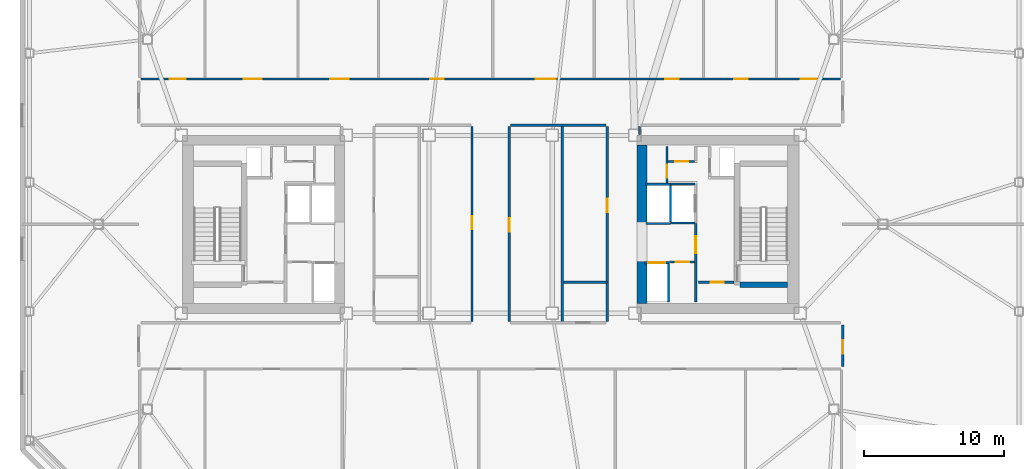
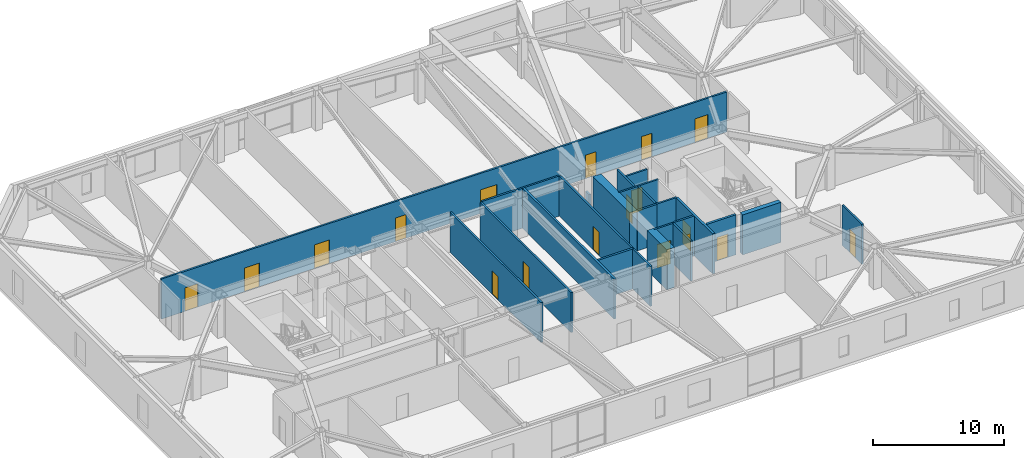
# One storey, part 12 of 18: 24 walls, 18 doors, 18 openings.
"""IFC4 building model written with IfcOpenShell, lengths in metres."""

from ifc_helpers import new_model, si_unit, direction, frame, frame_2d, origin, place, context, subcontext, project, spatial, rectangle, extrude, material, layer, layer_set, type_object, element, fill, save


model = new_model("IFC4")

# Units and contexts
model_context = context("Model", 3, precision=1e-05, world=origin(), true_north=direction((0.0, 1.0)))
body_context = subcontext(model_context, "Body", "Model", "MODEL_VIEW")
ifc_project = project(units=[si_unit("LENGTHUNIT", "METRE"), si_unit("AREAUNIT", "SQUARE_METRE"), si_unit("VOLUMEUNIT", "CUBIC_METRE"), si_unit("PLANEANGLEUNIT", "RADIAN"), si_unit("MASSUNIT", "GRAM", prefix="KILO")], contexts=[model_context])

# Site, building, storey
site_placement = place(None, origin())
site = spatial("IfcSite", under=ifc_project, at=site_placement, CompositionType="ELEMENT")
building_placement = place(site_placement, origin())
building = spatial("IfcBuilding", under=site, at=building_placement, Name="Tavrogorsk Clinical Tower", CompositionType="ELEMENT")
storey_placement = place(building_placement, frame((0.0, 0.0, 180.199951171875)))
storey = spatial("IfcBuildingStorey", under=building, at=storey_placement, Name="L41", CompositionType="ELEMENT", Elevation=180.199951171875)

# Wall, opening, door
ifc_material_1 = material(Name="Concrete B60", Category="concrete")
ifc_layer_1 = layer(ifc_material_1, 0.199951171875)
ifc_layer_set_1 = layer_set([ifc_layer_1], Name="Concrete B60")
wall_type_1 = type_object("IfcWallType", Name="CoreFireWall_200", PredefinedType="SOLIDWALL", material=ifc_layer_set_1)
wall_1_placement = place(storey_placement, frame((14.824951171875, -4.139892578125, 0.0), z_axis=(0.0, 0.0, 1.0), x_axis=(1.0, 0.0, 0.0)))
wall_1 = element("IfcWall", 1, at=wall_1_placement, inside=storey, type_object=wall_type_1, Name="L41 Core East South Core Room Fire Wall", PredefinedType="SOLIDWALL", context=body_context, shape_type="SweptSolid", body=[
    extrude(rectangle(XDim=2.554931640625, YDim=0.199951171875, at=frame_2d((1.27734375, 0.0))), origin(), (0.0, 0.0, 1.0), 3.739990234375),
])
opening_1_placement = place(wall_1_placement, frame((0.8798828125, 0.0, 0.0)))
opening_1 = element("IfcOpeningElement", 2, at=opening_1_placement, cuts=wall_1, Name="Opening ID-02", PredefinedType="OPENING", context=body_context, shape_type="SweptSolid", body=[
    extrude(rectangle(XDim=0.949951171875, YDim=2.199951171875, at=frame_2d((0.47509765625, 1.10009765625))), frame((0.0, 0.10986328125, 0.0), z_axis=(0.0, -1.0, 0.0), x_axis=(1.0, 0.0, 0.0)), (0.0, 0.0, 1.0), 0.219970703125),
])
ifc_material_2 = material(Name="Laminated timber leaf on aluminium frame", Category="wood")
door_type_1 = type_object("IfcDoorType", Name="InteriorDoor_ID02_950", OperationType="NOTDEFINED", PredefinedType="DOOR", material=ifc_material_2)
door_1_placement = place(opening_1_placement, origin())
door_1 = element("IfcDoor", 3, at=door_1_placement, inside=storey, type_object=door_type_1, Name="L41 Core East South Core Room Door", OperationType="SINGLE_SWING_RIGHT", OverallHeight=2.199951171875, OverallWidth=0.949951171875, PredefinedType="DOOR", context=body_context, shape_type="SweptSolid", body=[
    extrude(rectangle(XDim=0.949951171875, YDim=2.199951171875, at=frame_2d((0.47509765625, 1.10009765625))), frame((0.0, 0.02490234375, 0.0), z_axis=(0.0, -1.0, 0.0), x_axis=(1.0, 0.0, 0.0)), (0.0, 0.0, 1.0), 0.050048828125),
])
fill(opening_1, door_1)

wall_2_placement = place(storey_placement, frame((14.639892578125, -5.56005859375, 0.0), z_axis=(0.0, 0.0, 1.0), x_axis=(0.0, 1.0, 0.0)))
wall_2 = element("IfcWall", 4, at=wall_2_placement, inside=storey, type_object=wall_type_1, Name="L41 Core East Firefighting Lobby Fire Wall", PredefinedType="SOLIDWALL", context=body_context, shape_type="SweptSolid", body=[
    extrude(rectangle(XDim=5.60009765625, YDim=0.199951171875, at=frame_2d((2.800048828125, 0.0))), origin(), (0.0, 0.0, 1.0), 3.739990234375),
])
opening_2_placement = place(wall_2_placement, frame((3.510009765625, 0.0, 0.0)))
opening_2 = element("IfcOpeningElement", 5, at=opening_2_placement, cuts=wall_2, Name="Opening FD-01", PredefinedType="OPENING", context=body_context, shape_type="SweptSolid", body=[
    extrude(rectangle(XDim=1.199951171875, YDim=2.199951171875, at=frame_2d((0.60009765625, 1.10009765625))), frame((0.0, 0.10986328125, 0.0), z_axis=(0.0, -1.0, 0.0), x_axis=(1.0, 0.0, 0.0)), (0.0, 0.0, 1.0), 0.219970703125),
])
ifc_material_3 = material(Name="Galvanised steel fire-rated door assembly", Category="steel")
door_type_2 = type_object("IfcDoorType", Name="FireDoor_FD01_1200", OperationType="NOTDEFINED", PredefinedType="DOOR", material=ifc_material_3)
door_2_placement = place(opening_2_placement, origin())
door_2 = element("IfcDoor", 6, at=door_2_placement, inside=storey, type_object=door_type_2, Name="L41 Core East Firefighting Lobby Entry Door", OperationType="SINGLE_SWING_RIGHT", OverallHeight=2.199951171875, OverallWidth=1.199951171875, PredefinedType="DOOR", context=body_context, shape_type="SweptSolid", body=[
    extrude(rectangle(XDim=1.199951171875, YDim=2.199951171875, at=frame_2d((0.60009765625, 1.10009765625))), frame((0.0, 0.02490234375, 0.0), z_axis=(0.0, -1.0, 0.0), x_axis=(1.0, 0.0, 0.0)), (0.0, 0.0, 1.0), 0.050048828125),
])
fill(opening_2, door_2)

ifc_material_4 = material(Name="Lightweight concrete blockwork B15", Category="masonry")
ifc_layer_2 = layer(ifc_material_4, 0.159912109375)
ifc_layer_set_2 = layer_set([ifc_layer_2], Name="Lightweight concrete blockwork B15")
wall_type_2 = type_object("IfcWallType", Name="PartitionWall_160", PredefinedType="PARTITIONING", material=ifc_layer_set_2)
wall_3_placement = place(storey_placement, frame((12.77490234375, -2.699951171875, 0.0), z_axis=(0.0, 0.0, 1.0), x_axis=(1.0, 0.0, 0.0)))
wall_3 = element("IfcWall", 7, at=wall_3_placement, inside=storey, type_object=wall_type_2, Name="L41 Core East Freed Low-Bank North Partition", PredefinedType="PARTITIONING", context=body_context, shape_type="SweptSolid", body=[
    extrude(rectangle(XDim=1.760009765625, YDim=0.159912109375, at=frame_2d((0.8798828125, 0.0))), origin(), (0.0, 0.0, 1.0), 3.739990234375),
])
opening_3_placement = place(wall_3_placement, frame((0.449951171875, 0.0, 0.0)))
opening_3 = element("IfcOpeningElement", 8, at=opening_3_placement, cuts=wall_3, Name="Opening ID-02", PredefinedType="OPENING", context=body_context, shape_type="SweptSolid", body=[
    extrude(rectangle(XDim=0.949951171875, YDim=2.199951171875, at=frame_2d((0.47509765625, 1.10009765625))), frame((0.0, 0.08984375, 0.0), z_axis=(0.0, -1.0, 0.0), x_axis=(1.0, 0.0, 0.0)), (0.0, 0.0, 1.0), 0.179931640625),
])
door_3_placement = place(opening_3_placement, origin())
door_3 = element("IfcDoor", 9, at=door_3_placement, inside=storey, type_object=door_type_1, Name="L41 Core East Biomedical Alcove Door", OperationType="SINGLE_SWING_LEFT", OverallHeight=2.199951171875, OverallWidth=0.949951171875, PredefinedType="DOOR", context=body_context, shape_type="SweptSolid", body=[
    extrude(rectangle(XDim=0.949951171875, YDim=2.199951171875, at=frame_2d((0.47509765625, 1.10009765625))), frame((0.0, 0.02490234375, 0.0), z_axis=(0.0, -1.0, 0.0), x_axis=(1.0, 0.0, 0.0)), (0.0, 0.0, 1.0), 0.050048828125),
])
fill(opening_3, door_3)

wall_4_placement = place(storey_placement, frame((12.580078125, 2.9599609375, 0.0), z_axis=(0.0, 0.0, 1.0), x_axis=(0.0, 1.0, 0.0)))
wall_4 = element("IfcWall", 10, at=wall_4_placement, inside=storey, type_object=wall_type_2, Name="L41 Core East Linen Closet Wall", PredefinedType="PARTITIONING", context=body_context, shape_type="SweptSolid", body=[
    extrude(rectangle(XDim=2.60009765625, YDim=0.159912109375, at=frame_2d((1.300048828125, 0.0))), origin(), (0.0, 0.0, 1.0), 3.739990234375),
])
opening_4_placement = place(wall_4_placement, frame((0.35009765625, 0.0, 0.0)))
opening_4 = element("IfcOpeningElement", 11, at=opening_4_placement, cuts=wall_4, Name="Opening ID-02", PredefinedType="OPENING", context=body_context, shape_type="SweptSolid", body=[
    extrude(rectangle(XDim=0.949951171875, YDim=2.199951171875, at=frame_2d((0.47509765625, 1.10009765625))), frame((0.0, 0.08984375, 0.0), z_axis=(0.0, -1.0, 0.0), x_axis=(1.0, 0.0, 0.0)), (0.0, 0.0, 1.0), 0.179931640625),
])
door_4_placement = place(opening_4_placement, origin())
door_4 = element("IfcDoor", 12, at=door_4_placement, inside=storey, type_object=door_type_1, Name="L41 Core East Linen Closet Door", OperationType="SINGLE_SWING_RIGHT", OverallHeight=2.199951171875, OverallWidth=0.949951171875, PredefinedType="DOOR", context=body_context, shape_type="SweptSolid", body=[
    extrude(rectangle(XDim=0.949951171875, YDim=2.199951171875, at=frame_2d((0.47509765625, 1.10009765625))), frame((0.0, 0.02490234375, 0.0), z_axis=(0.0, -1.0, 0.0), x_axis=(1.0, 0.0, 0.0)), (0.0, 0.0, 1.0), 0.050048828125),
])
fill(opening_4, door_4)

wall_5_placement = place(storey_placement, frame((12.6650390625, 4.47998046875, 0.0), z_axis=(0.0, 0.0, 1.0), x_axis=(1.0, 0.0, 0.0)))
wall_5 = element("IfcWall", 13, at=wall_5_placement, inside=storey, type_object=wall_type_2, Name="L41 Core East Housekeeping South Wall", PredefinedType="PARTITIONING", context=body_context, shape_type="SweptSolid", body=[
    extrude(rectangle(XDim=1.889892578125, YDim=0.159912109375, at=frame_2d((0.94482421875, 0.0))), origin(), (0.0, 0.0, 1.0), 3.739990234375),
])
opening_5_placement = place(wall_5_placement, frame((0.5, 0.0, 0.0)))
opening_5 = element("IfcOpeningElement", 14, at=opening_5_placement, cuts=wall_5, Name="Opening ID-02", PredefinedType="OPENING", context=body_context, shape_type="SweptSolid", body=[
    extrude(rectangle(XDim=0.949951171875, YDim=2.199951171875, at=frame_2d((0.47509765625, 1.10009765625))), frame((0.0, 0.08984375, 0.0), z_axis=(0.0, -1.0, 0.0), x_axis=(1.0, 0.0, 0.0)), (0.0, 0.0, 1.0), 0.179931640625),
])
door_5_placement = place(opening_5_placement, origin())
door_5 = element("IfcDoor", 15, at=door_5_placement, inside=storey, type_object=door_type_1, Name="L41 Core East Housekeeping Closet Door", OperationType="SINGLE_SWING_LEFT", OverallHeight=2.199951171875, OverallWidth=0.949951171875, PredefinedType="DOOR", context=body_context, shape_type="SweptSolid", body=[
    extrude(rectangle(XDim=0.949951171875, YDim=2.199951171875, at=frame_2d((0.47509765625, 1.10009765625))), frame((0.0, 0.02490234375, 0.0), z_axis=(0.0, -1.0, 0.0), x_axis=(1.0, 0.0, 0.0)), (0.0, 0.0, 1.0), 0.050048828125),
])
fill(opening_5, door_5)

# Wall, openings, doors
wall_6_placement = place(storey_placement, frame((-24.965087890625, 10.3798828125, 0.0), z_axis=(0.0, 0.0, 1.0), x_axis=(1.0, 0.0, 0.0)))
wall_6 = element("IfcWall", 16, at=wall_6_placement, inside=storey, type_object=wall_type_2, Name="L41 Corridor Partition 07", PredefinedType="PARTITIONING", context=body_context, shape_type="SweptSolid", body=[
    extrude(rectangle(XDim=49.93017578125, YDim=0.159912109375, at=frame_2d((24.965087890625, 0.0))), origin(), (0.0, 0.0, 1.0), 3.739990234375),
])
opening_6_placement = place(wall_6_placement, frame((2.044189453125, 0.0, 0.0)))
opening_6 = element("IfcOpeningElement", 17, at=opening_6_placement, cuts=wall_6, Name="Opening ID-06", PredefinedType="OPENING", context=body_context, shape_type="SweptSolid", body=[
    extrude(rectangle(XDim=1.14990234375, YDim=2.199951171875, at=frame_2d((0.574951171875, 1.10009765625))), frame((0.0, 0.08984375, 0.0), z_axis=(0.0, -1.0, 0.0), x_axis=(1.0, 0.0, 0.0)), (0.0, 0.0, 1.0), 0.179931640625),
])
opening_7_placement = place(wall_6_placement, frame((7.324951171875, 0.0, 0.0)))
opening_7 = element("IfcOpeningElement", 18, at=opening_7_placement, cuts=wall_6, Name="Opening ID-01", PredefinedType="OPENING", context=body_context, shape_type="SweptSolid", body=[
    extrude(rectangle(XDim=1.300048828125, YDim=2.199951171875, at=frame_2d((0.64990234375, 1.10009765625))), frame((0.0, 0.08984375, 0.0), z_axis=(0.0, -1.0, 0.0), x_axis=(1.0, 0.0, 0.0)), (0.0, 0.0, 1.0), 0.179931640625),
])
opening_8_placement = place(wall_6_placement, frame((13.52490234375, 0.0, 0.0)))
opening_8 = element("IfcOpeningElement", 19, at=opening_8_placement, cuts=wall_6, Name="Opening ID-01", PredefinedType="OPENING", context=body_context, shape_type="SweptSolid", body=[
    extrude(rectangle(XDim=1.300048828125, YDim=2.199951171875, at=frame_2d((0.64990234375, 1.10009765625))), frame((0.0, 0.08984375, 0.0), z_axis=(0.0, -1.0, 0.0), x_axis=(1.0, 0.0, 0.0)), (0.0, 0.0, 1.0), 0.179931640625),
])
opening_9_placement = place(wall_6_placement, frame((20.64990234375, 0.0, 0.0)))
opening_9 = element("IfcOpeningElement", 20, at=opening_9_placement, cuts=wall_6, Name="Opening ID-02", PredefinedType="OPENING", context=body_context, shape_type="SweptSolid", body=[
    extrude(rectangle(XDim=0.949951171875, YDim=2.199951171875, at=frame_2d((0.47509765625, 1.10009765625))), frame((0.0, 0.08984375, 0.0), z_axis=(0.0, -1.0, 0.0), x_axis=(1.0, 0.0, 0.0)), (0.0, 0.0, 1.0), 0.179931640625),
])
opening_10_placement = place(wall_6_placement, frame((28.175048828125, 0.0, 0.0)))
opening_10 = element("IfcOpeningElement", 21, at=opening_10_placement, cuts=wall_6, Name="Opening ID-05", PredefinedType="OPENING", context=body_context, shape_type="SweptSolid", body=[
    extrude(rectangle(XDim=1.449951171875, YDim=2.199951171875, at=frame_2d((0.72509765625, 1.10009765625))), frame((0.0, 0.08984375, 0.0), z_axis=(0.0, -1.0, 0.0), x_axis=(1.0, 0.0, 0.0)), (0.0, 0.0, 1.0), 0.179931640625),
])
opening_11_placement = place(wall_6_placement, frame((37.429931640625, 0.0, 0.0)))
opening_11 = element("IfcOpeningElement", 22, at=opening_11_placement, cuts=wall_6, Name="Opening ID-02", PredefinedType="OPENING", context=body_context, shape_type="SweptSolid", body=[
    extrude(rectangle(XDim=0.949951171875, YDim=2.199951171875, at=frame_2d((0.47509765625, 1.10009765625))), frame((0.0, 0.08984375, 0.0), z_axis=(0.0, -1.0, 0.0), x_axis=(1.0, 0.0, 0.0)), (0.0, 0.0, 1.0), 0.179931640625),
])
opening_12_placement = place(wall_6_placement, frame((42.3701171875, 0.0, 0.0)))
opening_12 = element("IfcOpeningElement", 23, at=opening_12_placement, cuts=wall_6, Name="Opening ID-02", PredefinedType="OPENING", context=body_context, shape_type="SweptSolid", body=[
    extrude(rectangle(XDim=0.949951171875, YDim=2.199951171875, at=frame_2d((0.47509765625, 1.10009765625))), frame((0.0, 0.08984375, 0.0), z_axis=(0.0, -1.0, 0.0), x_axis=(1.0, 0.0, 0.0)), (0.0, 0.0, 1.0), 0.179931640625),
])
opening_13_placement = place(wall_6_placement, frame((47.10595703125, 0.0, 0.0)))
opening_13 = element("IfcOpeningElement", 24, at=opening_13_placement, cuts=wall_6, Name="Opening ID-06", PredefinedType="OPENING", context=body_context, shape_type="SweptSolid", body=[
    extrude(rectangle(XDim=1.14990234375, YDim=2.199951171875, at=frame_2d((0.574951171875, 1.10009765625))), frame((0.0, 0.08984375, 0.0), z_axis=(0.0, -1.0, 0.0), x_axis=(1.0, 0.0, 0.0)), (0.0, 0.0, 1.0), 0.179931640625),
])
ifc_material_5 = material(Name="Antibacterial HPL bariatric ward double door")
door_type_3 = type_object("IfcDoorType", Name="DoubleWardDoor_ID05_1450", OperationType="DOUBLE_SWING_LEFT", PredefinedType="DOOR", material=ifc_material_5)
door_6_placement = place(opening_10_placement, origin())
door_6 = element("IfcDoor", 25, at=door_6_placement, inside=storey, type_object=door_type_3, Name="L41 North Sub-Acute Recovery Ward 03B Door", OperationType="DOUBLE_SWING_LEFT", OverallHeight=2.199951171875, OverallWidth=1.449951171875, PredefinedType="DOOR", context=body_context, shape_type="SweptSolid", body=[
    extrude(rectangle(XDim=1.449951171875, YDim=2.199951171875, at=frame_2d((0.72509765625, 1.10009765625))), frame((0.0, 0.02490234375, 0.0), z_axis=(0.0, -1.0, 0.0), x_axis=(1.0, 0.0, 0.0)), (0.0, 0.0, 1.0), 0.050048828125),
])
fill(opening_10, door_6)
door_7_placement = place(opening_9_placement, origin())
door_7 = element("IfcDoor", 26, at=door_7_placement, inside=storey, type_object=door_type_1, Name="L41 North Clinical Examination Suite 03A Door", OperationType="SINGLE_SWING_RIGHT", OverallHeight=2.199951171875, OverallWidth=0.949951171875, PredefinedType="DOOR", context=body_context, shape_type="SweptSolid", body=[
    extrude(rectangle(XDim=0.949951171875, YDim=2.199951171875, at=frame_2d((0.47509765625, 1.10009765625))), frame((0.0, 0.02490234375, 0.0), z_axis=(0.0, -1.0, 0.0), x_axis=(1.0, 0.0, 0.0)), (0.0, 0.0, 1.0), 0.050048828125),
])
fill(opening_9, door_7)
door_8_placement = place(opening_11_placement, origin())
door_8 = element("IfcDoor", 27, at=door_8_placement, inside=storey, type_object=door_type_1, Name="L41 North Diagnostic Ultrasound Suite 04A Door", OperationType="SINGLE_SWING_RIGHT", OverallHeight=2.199951171875, OverallWidth=0.949951171875, PredefinedType="DOOR", context=body_context, shape_type="SweptSolid", body=[
    extrude(rectangle(XDim=0.949951171875, YDim=2.199951171875, at=frame_2d((0.47509765625, 1.10009765625))), frame((0.0, 0.02490234375, 0.0), z_axis=(0.0, -1.0, 0.0), x_axis=(1.0, 0.0, 0.0)), (0.0, 0.0, 1.0), 0.050048828125),
])
fill(opening_11, door_8)
door_9_placement = place(opening_12_placement, origin())
door_9 = element("IfcDoor", 28, at=door_9_placement, inside=storey, type_object=door_type_1, Name="L41 North Multidisciplinary Case Room 04B Door", OperationType="SINGLE_SWING_LEFT", OverallHeight=2.199951171875, OverallWidth=0.949951171875, PredefinedType="DOOR", context=body_context, shape_type="SweptSolid", body=[
    extrude(rectangle(XDim=0.949951171875, YDim=2.199951171875, at=frame_2d((0.47509765625, 1.10009765625))), frame((0.0, 0.02490234375, 0.0), z_axis=(0.0, -1.0, 0.0), x_axis=(1.0, 0.0, 0.0)), (0.0, 0.0, 1.0), 0.050048828125),
])
fill(opening_12, door_9)
ifc_material_6 = material(Name="Antibacterial HPL procedure door on aluminium frame", Category="aluminium")
door_type_4 = type_object("IfcDoorType", Name="LabDoor_ID06_1150", OperationType="NOTDEFINED", PredefinedType="DOOR", material=ifc_material_6)
door_10_placement = place(opening_6_placement, origin())
door_10 = element("IfcDoor", 29, at=door_10_placement, inside=storey, type_object=door_type_4, Name="L41 North Multidisciplinary Case Room 01 Door", OperationType="SINGLE_SWING_LEFT", OverallHeight=2.199951171875, OverallWidth=1.14990234375, PredefinedType="DOOR", context=body_context, shape_type="SweptSolid", body=[
    extrude(rectangle(XDim=1.14990234375, YDim=2.199951171875, at=frame_2d((0.574951171875, 1.10009765625))), frame((0.0, 0.02490234375, 0.0), z_axis=(0.0, -1.0, 0.0), x_axis=(1.0, 0.0, 0.0)), (0.0, 0.0, 1.0), 0.050048828125),
])
fill(opening_6, door_10)
door_11_placement = place(opening_13_placement, origin())
door_11 = element("IfcDoor", 30, at=door_11_placement, inside=storey, type_object=door_type_4, Name="L41 North Physiotherapy Rehab Studio 05 Door", OperationType="SINGLE_SWING_RIGHT", OverallHeight=2.199951171875, OverallWidth=1.14990234375, PredefinedType="DOOR", context=body_context, shape_type="SweptSolid", body=[
    extrude(rectangle(XDim=1.14990234375, YDim=2.199951171875, at=frame_2d((0.574951171875, 1.10009765625))), frame((0.0, 0.02490234375, 0.0), z_axis=(0.0, -1.0, 0.0), x_axis=(1.0, 0.0, 0.0)), (0.0, 0.0, 1.0), 0.050048828125),
])
fill(opening_13, door_11)
ifc_material_7 = material(Name="Antibacterial HPL medical leaf on aluminium frame", Category="aluminium")
door_type_5 = type_object("IfcDoorType", Name="WardBedDoor_ID01_1300", OperationType="NOTDEFINED", PredefinedType="DOOR", material=ifc_material_7)
door_12_placement = place(opening_7_placement, origin())
door_12 = element("IfcDoor", 31, at=door_12_placement, inside=storey, type_object=door_type_5, Name="L41 North Inpatient Clinical Ward 02A Door", OperationType="SINGLE_SWING_RIGHT", OverallHeight=2.199951171875, OverallWidth=1.300048828125, PredefinedType="DOOR", context=body_context, shape_type="SweptSolid", body=[
    extrude(rectangle(XDim=1.300048828125, YDim=2.199951171875, at=frame_2d((0.64990234375, 1.10009765625))), frame((0.0, 0.02490234375, 0.0), z_axis=(0.0, -1.0, 0.0), x_axis=(1.0, 0.0, 0.0)), (0.0, 0.0, 1.0), 0.050048828125),
])
fill(opening_7, door_12)
door_13_placement = place(opening_8_placement, origin())
door_13 = element("IfcDoor", 32, at=door_13_placement, inside=storey, type_object=door_type_5, Name="L41 North Acute Isolation Suite 02B Door", OperationType="SINGLE_SWING_LEFT", OverallHeight=2.199951171875, OverallWidth=1.300048828125, PredefinedType="DOOR", context=body_context, shape_type="SweptSolid", body=[
    extrude(rectangle(XDim=1.300048828125, YDim=2.199951171875, at=frame_2d((0.64990234375, 1.10009765625))), frame((0.0, 0.02490234375, 0.0), z_axis=(0.0, -1.0, 0.0), x_axis=(1.0, 0.0, 0.0)), (0.0, 0.0, 1.0), 0.050048828125),
])
fill(opening_8, door_13)

# Wall
wall_7_placement = place(storey_placement, frame((10.6298828125, 6.985107421875, 0.0), z_axis=(0.0, 0.0, 1.0), x_axis=(0.0, -1.0, 0.0)))
element("IfcWall", 33, at=wall_7_placement, inside=storey, type_object=wall_type_2, Name="L41 Corridor Partition 10", PredefinedType="PARTITIONING", context=body_context, shape_type="SweptSolid", body=[
    extrude(rectangle(XDim=0.565185546875, YDim=0.159912109375, at=frame_2d((0.28271484375, 0.0))), origin(), (0.0, 0.0, 1.0), 1.53515625),
])

# Wall, opening, door
wall_8_placement = place(storey_placement, frame((25.1298828125, -7.18505859375, 0.0), z_axis=(0.0, 0.0, 1.0), x_axis=(0.0, -1.0, 0.0)))
wall_8 = element("IfcWall", 34, at=wall_8_placement, inside=storey, type_object=wall_type_2, Name="L41 Corridor Partition 13", PredefinedType="PARTITIONING", context=body_context, shape_type="SweptSolid", body=[
    extrude(rectangle(XDim=2.97998046875, YDim=0.159912109375, at=frame_2d((1.489990234375, 0.0))), origin(), (0.0, 0.0, 1.0), 3.739990234375),
])
opening_14_placement = place(wall_8_placement, frame((1.10009765625, 0.0, 0.0)))
opening_14 = element("IfcOpeningElement", 35, at=opening_14_placement, cuts=wall_8, Name="Opening ID-02", PredefinedType="OPENING", context=body_context, shape_type="SweptSolid", body=[
    extrude(rectangle(XDim=0.949951171875, YDim=2.199951171875, at=frame_2d((0.47509765625, 1.10009765625))), frame((0.0, 0.08984375, 0.0), z_axis=(0.0, -1.0, 0.0), x_axis=(1.0, 0.0, 0.0)), (0.0, 0.0, 1.0), 0.179931640625),
])
door_14_placement = place(opening_14_placement, origin())
door_14 = element("IfcDoor", 36, at=door_14_placement, inside=storey, type_object=door_type_1, Name="L41 E Senior Clinician Suite 1 Door", OperationType="SINGLE_SWING_LEFT", OverallHeight=2.199951171875, OverallWidth=0.949951171875, PredefinedType="DOOR", context=body_context, shape_type="SweptSolid", body=[
    extrude(rectangle(XDim=0.949951171875, YDim=2.199951171875, at=frame_2d((0.47509765625, 1.10009765625))), frame((0.0, 0.02490234375, 0.0), z_axis=(0.0, -1.0, 0.0), x_axis=(1.0, 0.0, 0.0)), (0.0, 0.0, 1.0), 0.050048828125),
])
fill(opening_14, door_14)

# Wall
wall_9_placement = place(storey_placement, frame((8.235107421875, 7.070068359375, 0.0), z_axis=(0.0, 0.0, 1.0), x_axis=(-1.0, 0.0, 0.0)))
element("IfcWall", 37, at=wall_9_placement, inside=storey, type_object=wall_type_2, Name="L41 Corridor Partition 15", PredefinedType="PARTITIONING", context=body_context, shape_type="SweptSolid", body=[
    extrude(rectangle(XDim=6.820068359375, YDim=0.159912109375, at=frame_2d((3.41015625, 0.0))), origin(), (0.0, 0.0, 1.0), 3.739990234375),
])

# Wall, opening, door
wall_10_placement = place(storey_placement, frame((1.330078125, 6.985107421875, 0.0), z_axis=(0.0, 0.0, 1.0), x_axis=(0.0, -1.0, 0.0)))
wall_10 = element("IfcWall", 38, at=wall_10_placement, inside=storey, type_object=wall_type_2, Name="L41 Corridor Partition 16", PredefinedType="PARTITIONING", context=body_context, shape_type="SweptSolid", body=[
    extrude(rectangle(XDim=13.920166015625, YDim=0.159912109375, at=frame_2d((6.9599609375, 0.0))), origin(), (0.0, 0.0, 1.0), 3.739990234375),
])
opening_15_placement = place(wall_10_placement, frame((6.570068359375, 0.0, 0.0)))
opening_15 = element("IfcOpeningElement", 39, at=opening_15_placement, cuts=wall_10, Name="Opening ID-02", PredefinedType="OPENING", context=body_context, shape_type="SweptSolid", body=[
    extrude(rectangle(XDim=0.949951171875, YDim=2.199951171875, at=frame_2d((0.47509765625, 1.10009765625))), frame((0.0, 0.08984375, 0.0), z_axis=(0.0, -1.0, 0.0), x_axis=(1.0, 0.0, 0.0)), (0.0, 0.0, 1.0), 0.179931640625),
])
door_15_placement = place(opening_15_placement, origin())
door_15 = element("IfcDoor", 40, at=door_15_placement, inside=storey, type_object=door_type_1, Name="L41 Clean Medication Preparation Room Door", OperationType="SINGLE_SWING_RIGHT", OverallHeight=2.199951171875, OverallWidth=0.949951171875, PredefinedType="DOOR", context=body_context, shape_type="SweptSolid", body=[
    extrude(rectangle(XDim=0.949951171875, YDim=2.199951171875, at=frame_2d((0.47509765625, 1.10009765625))), frame((0.0, 0.02490234375, 0.0), z_axis=(0.0, -1.0, 0.0), x_axis=(1.0, 0.0, 0.0)), (0.0, 0.0, 1.0), 0.050048828125),
])
fill(opening_15, door_15)

wall_11_placement = place(storey_placement, frame((8.320068359375, -6.93505859375, 0.0), z_axis=(0.0, 0.0, 1.0), x_axis=(0.0, 1.0, 0.0)))
wall_11 = element("IfcWall", 41, at=wall_11_placement, inside=storey, type_object=wall_type_2, Name="L41 Corridor Partition 18", PredefinedType="PARTITIONING", context=body_context, shape_type="SweptSolid", body=[
    extrude(rectangle(XDim=13.920166015625, YDim=0.159912109375, at=frame_2d((6.9599609375, 0.0))), origin(), (0.0, 0.0, 1.0), 3.739990234375),
])
opening_16_placement = place(wall_11_placement, frame((7.810791015625, 0.0, 0.0)))
opening_16 = element("IfcOpeningElement", 42, at=opening_16_placement, cuts=wall_11, Name="Opening ID-02", PredefinedType="OPENING", context=body_context, shape_type="SweptSolid", body=[
    extrude(rectangle(XDim=0.949951171875, YDim=2.199951171875, at=frame_2d((0.47509765625, 1.10009765625))), frame((0.0, 0.08984375, 0.0), z_axis=(0.0, -1.0, 0.0), x_axis=(1.0, 0.0, 0.0)), (0.0, 0.0, 1.0), 0.179931640625),
])
door_16_placement = place(opening_16_placement, origin())
door_16 = element("IfcDoor", 43, at=door_16_placement, inside=storey, type_object=door_type_1, Name="L41 Resident Clinician Study Door", OperationType="SINGLE_SWING_RIGHT", OverallHeight=2.199951171875, OverallWidth=0.949951171875, PredefinedType="DOOR", context=body_context, shape_type="SweptSolid", body=[
    extrude(rectangle(XDim=0.949951171875, YDim=2.199951171875, at=frame_2d((0.47509765625, 1.10009765625))), frame((0.0, 0.02490234375, 0.0), z_axis=(0.0, -1.0, 0.0), x_axis=(1.0, 0.0, 0.0)), (0.0, 0.0, 1.0), 0.050048828125),
])
fill(opening_16, door_16)

wall_12_placement = place(storey_placement, frame((-1.330078125, -6.93505859375, 0.0), z_axis=(0.0, 0.0, 1.0), x_axis=(0.0, 1.0, 0.0)))
wall_12 = element("IfcWall", 44, at=wall_12_placement, inside=storey, type_object=wall_type_2, Name="L41 Corridor Partition 19", PredefinedType="PARTITIONING", context=body_context, shape_type="SweptSolid", body=[
    extrude(rectangle(XDim=13.920166015625, YDim=0.159912109375, at=frame_2d((6.9599609375, 0.0))), origin(), (0.0, 0.0, 1.0), 3.739990234375),
])
opening_17_placement = place(wall_12_placement, frame((6.570068359375, 0.0, 0.0)))
opening_17 = element("IfcOpeningElement", 45, at=opening_17_placement, cuts=wall_12, Name="Opening ID-02", PredefinedType="OPENING", context=body_context, shape_type="SweptSolid", body=[
    extrude(rectangle(XDim=0.949951171875, YDim=2.199951171875, at=frame_2d((0.47509765625, 1.10009765625))), frame((0.0, 0.08984375, 0.0), z_axis=(0.0, -1.0, 0.0), x_axis=(1.0, 0.0, 0.0)), (0.0, 0.0, 1.0), 0.179931640625),
])
door_17_placement = place(opening_17_placement, origin())
door_17 = element("IfcDoor", 46, at=door_17_placement, inside=storey, type_object=door_type_1, Name="L41 Nurses' Station & Telemetry Hub Door", OperationType="SINGLE_SWING_LEFT", OverallHeight=2.199951171875, OverallWidth=0.949951171875, PredefinedType="DOOR", context=body_context, shape_type="SweptSolid", body=[
    extrude(rectangle(XDim=0.949951171875, YDim=2.199951171875, at=frame_2d((0.47509765625, 1.10009765625))), frame((0.0, 0.02490234375, 0.0), z_axis=(0.0, -1.0, 0.0), x_axis=(1.0, 0.0, 0.0)), (0.0, 0.0, 1.0), 0.050048828125),
])
fill(opening_17, door_17)

# Walls
ifc_material_8 = material(Name="Lightweight concrete blockwork B20", Category="masonry")
ifc_layer_3 = layer(ifc_material_8, 0.179931640625)
ifc_layer_set_3 = layer_set([ifc_layer_3], Name="Lightweight concrete blockwork B20")
wall_type_3 = type_object("IfcWallType", Name="PartitionWall_180", PredefinedType="PARTITIONING", material=ifc_layer_set_3)
wall_13_placement = place(storey_placement, frame((5.10009765625, -7.014892578125, 0.0), z_axis=(0.0, 0.0, 1.0), x_axis=(0.0, 1.0, 0.0)))
element("IfcWall", 47, at=wall_13_placement, inside=storey, type_object=wall_type_3, Name="L41 Central Spine Partition 2", PredefinedType="PARTITIONING", context=body_context, shape_type="SweptSolid", body=[
    extrude(rectangle(XDim=14.079833984375, YDim=0.179931640625, at=frame_2d((7.0400390625, 0.0))), origin(), (0.0, 0.0, 1.0), 3.739990234375),
])
wall_14_placement = place(storey_placement, frame((5.195068359375, -4.14990234375, 0.0), z_axis=(0.0, 0.0, 1.0), x_axis=(1.0, 0.0, 0.0)))
element("IfcWall", 48, at=wall_14_placement, inside=storey, type_object=wall_type_3, Name="L41 Central Spine Partition 4", PredefinedType="PARTITIONING", context=body_context, shape_type="SweptSolid", body=[
    extrude(rectangle(XDim=3.119873046875, YDim=0.179931640625, at=frame_2d((1.56005859375, 0.0))), origin(), (0.0, 0.0, 1.0), 3.739990234375),
])
ifc_material_9 = material(Name="Lightweight concrete blockwork B25", Category="masonry")
ifc_layer_4 = layer(ifc_material_9, 0.159912109375)
ifc_layer_set_4 = layer_set([ifc_layer_4], Name="Lightweight concrete blockwork B25")
wall_type_4 = type_object("IfcWallType", Name="ShaftWall_160", PredefinedType="PARTITIONING", material=ifc_layer_set_4)
for number, where, z_axis, x_axis, name in (
    (49, (12.840087890625, 0.10009765625, 0.0), (0.0, 0.0, 1.0), (1.0, 0.0, 0.0), "L41 FFL-E Shaft South Wall"),
    (50, (12.840087890625, 2.8798828125, 0.0), (0.0, 0.0, 1.0), (1.0, 0.0, 0.0), "L41 FFL-E Shaft North Wall"),
):
    element("IfcWall", number, at=place(storey_placement, frame(where, z_axis=z_axis, x_axis=x_axis)), inside=storey, type_object=wall_type_4, Name=name, PredefinedType="PARTITIONING", context=body_context, shape_type="SweptSolid", body=[
        extrude(rectangle(XDim=1.760009765625, YDim=0.159912109375, at=frame_2d((0.8798828125, 0.0))), origin(), (0.0, 0.0, 1.0), 3.739990234375),
    ])
wall_15_placement = place(storey_placement, frame((12.840087890625, 0.179931640625, 0.0), z_axis=(0.0, 0.0, 1.0), x_axis=(0.0, 1.0, 0.0)))
element("IfcWall", 51, at=wall_15_placement, inside=storey, type_object=wall_type_4, Name="L41 FFL-E Shaft Back Wall", PredefinedType="PARTITIONING", context=body_context, shape_type="SweptSolid", body=[
    extrude(rectangle(XDim=2.6201171875, YDim=0.159912109375, at=frame_2d((1.31005859375, 0.0))), origin(), (0.0, 0.0, 1.0), 3.739990234375),
])

# Wall, opening, door
wall_16_placement = place(storey_placement, frame((10.969970703125, -2.75, 0.0), z_axis=(0.0, 0.0, 1.0), x_axis=(1.0, 0.0, 0.0)))
wall_16 = element("IfcWall", 52, at=wall_16_placement, inside=storey, type_object=wall_type_4, Name="L41 LP-M2 Lift Shaft Portal Wall", PredefinedType="PARTITIONING", context=body_context, shape_type="SweptSolid", body=[
    extrude(rectangle(XDim=1.760009765625, YDim=0.159912109375, at=frame_2d((0.8798828125, 0.0))), origin(), (0.0, 0.0, 1.0), 3.739990234375),
])
opening_18_placement = place(wall_16_placement, frame((0.280029296875, 0.0, 0.0)))
opening_18 = element("IfcOpeningElement", 53, at=opening_18_placement, cuts=wall_16, Name="Opening LD", PredefinedType="OPENING", context=body_context, shape_type="SweptSolid", body=[
    extrude(rectangle(XDim=1.199951171875, YDim=2.199951171875, at=frame_2d((0.60009765625, 1.10009765625))), frame((0.0, 0.08984375, 0.0), z_axis=(0.0, -1.0, 0.0), x_axis=(1.0, 0.0, 0.0)), (0.0, 0.0, 1.0), 0.179931640625),
])
ifc_material_10 = material(Name="Brushed stainless steel AISI 304 sliding doors", Category="steel")
door_type_6 = type_object("IfcDoorType", Name="LiftLandingDoor_LD_1200", OperationType="SLIDING_TO_LEFT", PredefinedType="DOOR", material=ifc_material_10)
door_18_placement = place(opening_18_placement, origin())
door_18 = element("IfcDoor", 54, at=door_18_placement, inside=storey, type_object=door_type_6, Name="L41 LP-M2 Sliding Lift Landing Door", OperationType="SLIDING_TO_LEFT", OverallHeight=2.199951171875, OverallWidth=1.199951171875, PredefinedType="DOOR", context=body_context, shape_type="SweptSolid", body=[
    extrude(rectangle(XDim=1.199951171875, YDim=2.199951171875, at=frame_2d((0.60009765625, 1.10009765625))), frame((0.0, 0.02490234375, 0.0), z_axis=(0.0, -1.0, 0.0), x_axis=(1.0, 0.0, 0.0)), (0.0, 0.0, 1.0), 0.050048828125),
])
fill(opening_18, door_18)

# Walls
for number, where, z_axis, x_axis, name in (
    (55, (11.10009765625, 0.06005859375, 0.0), (0.0, 0.0, 1.0), (1.0, 0.0, 0.0), "L41 LP-H2 High-Zone Lift Portal Wall"),
    (56, (11.10009765625, 2.860107421875, 0.0), (0.0, 0.0, 1.0), (1.0, 0.0, 0.0), "L41 LP-H2 High-Zone Lift Rear Wall"),
):
    element("IfcWall", number, at=place(storey_placement, frame(where, z_axis=z_axis, x_axis=x_axis)), inside=storey, type_object=wall_type_4, Name=name, PredefinedType="PARTITIONING", context=body_context, shape_type="SweptSolid", body=[
        extrude(rectangle(XDim=1.719970703125, YDim=0.159912109375, at=frame_2d((0.85986328125, 0.0))), origin(), (0.0, 0.0, 1.0), 3.739990234375),
    ])
wall_17_placement = place(storey_placement, frame((12.68994140625, -5.56005859375, 0.0), z_axis=(0.0, 0.0, 1.0), x_axis=(0.0, 1.0, 0.0)))
element("IfcWall", 57, at=wall_17_placement, inside=storey, type_object=wall_type_4, Name="L41 Core East Freed Low-Bank Shaft Divider", PredefinedType="PARTITIONING", context=body_context, shape_type="SweptSolid", body=[
    extrude(rectangle(XDim=2.775146484375, YDim=0.159912109375, at=frame_2d((1.3876953125, 0.0))), origin(), (0.0, 0.0, 1.0), 3.739990234375),
])
ifc_material_11 = material(Name="Concrete B80", Category="concrete")
ifc_layer_5 = layer(ifc_material_11, 0.39990234375)
ifc_layer_set_5 = layer_set([ifc_layer_5], Name="Concrete B80")
wall_type_5 = type_object("IfcWallType", Name="ShearWall_400", PredefinedType="SHEAR", material=ifc_layer_set_5)
wall_18_placement = place(storey_placement, frame((17.800048828125, -4.324951171875, 0.0), z_axis=(0.0, 0.0, 1.0), x_axis=(1.0, 0.0, 0.0)))
element("IfcWall", 58, at=wall_18_placement, inside=storey, type_object=wall_type_5, Name="L41 Core East Stair Shaft South Shear Wall", PredefinedType="SHEAR", context=body_context, shape_type="SweptSolid", body=[
    extrude(rectangle(XDim=3.39990234375, YDim=0.39990234375, at=frame_2d((1.699951171875, 0.0))), origin(), (0.0, 0.0, 1.0), 3.739990234375),
])
ifc_material_12 = material(Name="Concrete B80", Category="concrete")
ifc_layer_6 = layer(ifc_material_12, 0.699951171875)
ifc_layer_set_6 = layer_set([ifc_layer_6], Name="Concrete B80")
wall_type_6 = type_object("IfcWallType", Name="ShearWall_700", PredefinedType="SHEAR", material=ifc_layer_set_6)
wall_19_placement = place(storey_placement, frame((10.800048828125, -5.64990234375, 0.0), z_axis=(0.0, 0.0, 1.0), x_axis=(0.0, 1.0, 0.0)))
element("IfcWall", 59, at=wall_19_placement, inside=storey, type_object=wall_type_6, Name="L41 Core East Inner South Pier", PredefinedType="SHEAR", context=body_context, shape_type="SweptSolid", body=[
    extrude(rectangle(XDim=3.0, YDim=0.699951171875, at=frame_2d((1.5, 0.0))), origin(), (0.0, 0.0, 1.0), 3.739990234375),
])
wall_20_placement = place(storey_placement, frame((10.800048828125, 0.050048828125, 0.0), z_axis=(0.0, 0.0, 1.0), x_axis=(0.0, 1.0, 0.0)))
element("IfcWall", 60, at=wall_20_placement, inside=storey, type_object=wall_type_6, Name="L41 Core East Inner North Pier", PredefinedType="SHEAR", context=body_context, shape_type="SweptSolid", body=[
    extrude(rectangle(XDim=5.599853515625, YDim=0.699951171875, at=frame_2d((2.7998046875, 0.0))), origin(), (0.0, 0.0, 1.0), 3.739990234375),
])

save(model, "model.ifc")
